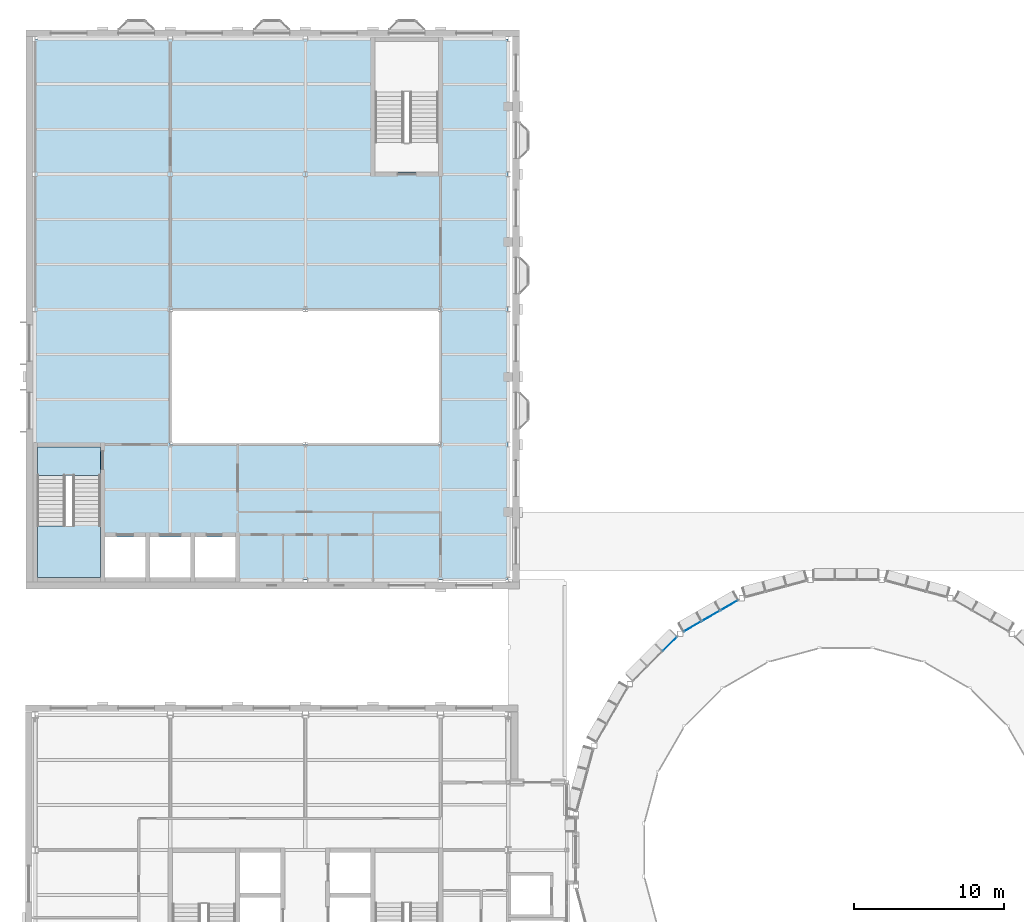
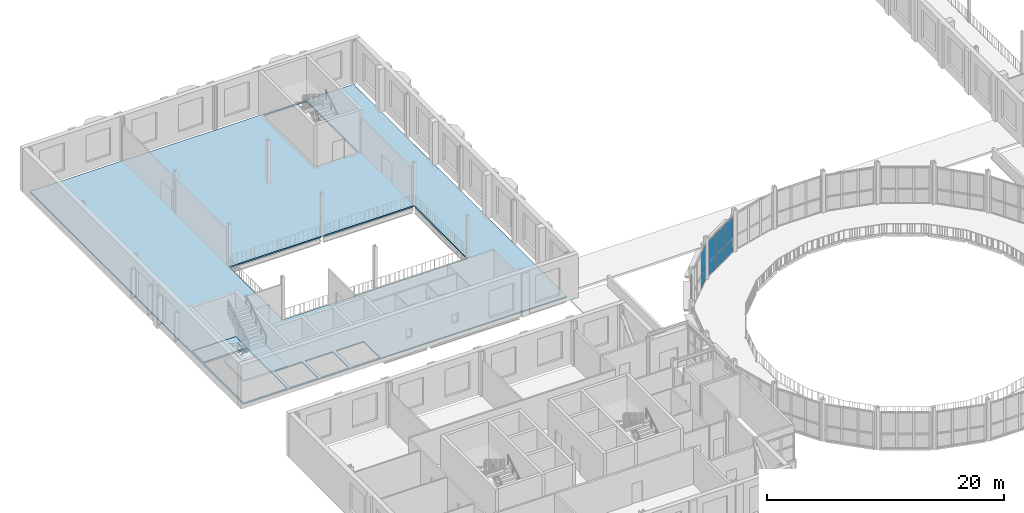
# One storey, part 32 of 74: 8 plates, 3 slabs, 3 elements without a shape of their own.
"""IFC4 building model written with IfcOpenShell, lengths in metres."""

from ifc_helpers import new_model, si_unit, direction, frame, origin, origin_2d, place, context, subcontext, project, spatial, polyline, rectangle, outline, extrude, material, layer, layer_set, type_object, element, aggregate, save


model = new_model("IFC4")

# Units and contexts
model_context = context("Model", 3, precision=1e-05, world=origin(), true_north=direction((0.0, 1.0)))
body_context = subcontext(model_context, "Body", "Model", "MODEL_VIEW")
ifc_project = project(units=[si_unit("LENGTHUNIT", "METRE"), si_unit("AREAUNIT", "SQUARE_METRE"), si_unit("VOLUMEUNIT", "CUBIC_METRE"), si_unit("PLANEANGLEUNIT", "RADIAN"), si_unit("MASSUNIT", "GRAM", prefix="KILO")], contexts=[model_context])

# Site, building, storey
site_placement = place(None, origin())
site = spatial("IfcSite", under=ifc_project, at=site_placement, CompositionType="ELEMENT")
building_placement = place(site_placement, origin())
building = spatial("IfcBuilding", under=site, at=building_placement, Name="Hortulan Conservatory and Botanical Research Centre", CompositionType="ELEMENT")
storey_placement = place(building_placement, frame((0.0, 0.0, 6.0)))
storey = spatial("IfcBuildingStorey", under=building, at=storey_placement, Name="L01", CompositionType="ELEMENT", Elevation=6.0)

# Slab
ifc_material_1 = material(Name="Concrete N32 (32 MPa, AS 3600)", Category="concrete")
ifc_layer_1 = layer(ifc_material_1, 0.1298828125)
ifc_layer_set_1 = layer_set([ifc_layer_1], Name="Composite Floor Slab 130")
slab_type_1 = type_object("IfcSlabType", Name="Composite Floor Slab 130", PredefinedType="FLOOR", material=ifc_layer_set_1)
slab_1_placement = place(storey_placement, frame((0.0, 0.0, -0.1298828125)))
element("IfcSlab", 1, at=slab_1_placement, inside=storey, type_object=slab_type_1, Name="Floor slab", PredefinedType="FLOOR", context=body_context, shape_type="SweptSolid", body=[
    extrude(outline(polyline([(0.0, 72.0), (0.0, 36.0), (31.5, 36.0), (31.5, 72.0), (0.0, 72.0)]), holes=[polyline([(9.0, 54.0), (9.0, 45.0), (27.0, 45.0), (27.0, 54.0), (9.0, 54.0)]), polyline([(4.64990234375, 36.14990234375), (7.35009765625, 36.14990234375), (7.35009765625, 38.85009765625), (4.64990234375, 38.85009765625), (4.64990234375, 36.14990234375)]), polyline([(7.64990234375, 38.85009765625), (7.64990234375, 36.14990234375), (10.35009765625, 36.14990234375), (10.35009765625, 38.85009765625), (7.64990234375, 38.85009765625)]), polyline([(10.64990234375, 38.85009765625), (10.64990234375, 36.14990234375), (13.35009765625, 36.14990234375), (13.35009765625, 38.85009765625), (10.64990234375, 38.85009765625)]), polyline([(0.14990234375, 36.14990234375), (4.35009765625, 36.14990234375), (4.35009765625, 44.85009765625), (0.14990234375, 44.85009765625), (0.14990234375, 36.14990234375)]), polyline([(22.64990234375, 71.85009765625), (22.64990234375, 63.14990234375), (26.85009765625, 63.14990234375), (26.85009765625, 71.85009765625), (22.64990234375, 71.85009765625)])]), origin(), (0.0, 0.0, 1.0), 0.1298828125),
])

# Curtain wall, plates
ifc_material_2 = material(Name="Bronze-finished aluminium", Category="aluminium")
ifc_layer_2 = layer(ifc_material_2, 0.10009765625)
ifc_layer_set_2 = layer_set([ifc_layer_2], Name="Bronze-framed Curtain Wall 1500 module")
curtain_wall_type = type_object("IfcCurtainWallType", Name="Bronze-framed Curtain Wall 1500 module", PredefinedType="NOTDEFINED", material=ifc_layer_set_2)
curtain_wall_1_placement = place(storey_placement, origin())
curtain_wall_1 = element("IfcCurtainWall", 2, at=curtain_wall_1_placement, inside=storey, type_object=curtain_wall_type, Name="Curtain wall", PredefinedType="NOTDEFINED")
ifc_material_3 = material(Name="Low-e laminated glass", Category="glass")
ifc_layer_3 = layer(ifc_material_3, 0.028076171875)
ifc_layer_set_3 = layer_set([ifc_layer_3], Name="Laminated Glass Panel 28")
plate_type = type_object("IfcPlateType", Name="Laminated Glass Panel 28", PredefinedType="CURTAIN_PANEL", material=ifc_layer_set_3)
plate_1_placement = place(storey_placement, frame((43.782958984375, 32.885986328125, 0.06005859375), z_axis=(0.0, 0.0, 1.0), x_axis=(0.866036280655, 0.499981160235, 0.0)))
plate_1 = element("IfcPlate", 3, at=plate_1_placement, type_object=plate_type, Name="CW1 panel 1.1", PredefinedType="CURTAIN_PANEL", context=body_context, shape_type="SweptSolid", body=[
    extrude(rectangle(XDim=1.330078125, YDim=0.028076171875, at=origin_2d()), origin(), (0.0, 0.0, 1.0), 1.409912109375),
])
plate_2_placement = place(storey_placement, frame((43.782958984375, 32.885986328125, 1.5302734375), z_axis=(0.0, 0.0, 1.0), x_axis=(0.866036280655, 0.499981160235, 0.0)))
plate_2 = element("IfcPlate", 4, at=plate_2_placement, type_object=plate_type, Name="CW1 panel 1.2", PredefinedType="CURTAIN_PANEL", context=body_context, shape_type="SweptSolid", body=[
    extrude(rectangle(XDim=1.330078125, YDim=0.028076171875, at=origin_2d()), origin(), (0.0, 0.0, 1.0), 2.159912109375),
])
plate_3_placement = place(storey_placement, frame((45.0, 33.58837890625, 0.06005859375), z_axis=(0.0, 0.0, 1.0), x_axis=(0.866036280655, 0.499981160235, 0.0)))
plate_3 = element("IfcPlate", 5, at=plate_3_placement, type_object=plate_type, Name="CW1 panel 2.1", PredefinedType="CURTAIN_PANEL", context=body_context, shape_type="SweptSolid", body=[
    extrude(rectangle(XDim=1.360107421875, YDim=0.028076171875, at=origin_2d()), origin(), (0.0, 0.0, 1.0), 1.409912109375),
])
plate_4_placement = place(storey_placement, frame((45.0, 33.58837890625, 1.5302734375), z_axis=(0.0, 0.0, 1.0), x_axis=(0.866036280655, 0.499981160235, 0.0)))
plate_4 = element("IfcPlate", 6, at=plate_4_placement, type_object=plate_type, Name="CW1 panel 2.2", PredefinedType="CURTAIN_PANEL", context=body_context, shape_type="SweptSolid", body=[
    extrude(rectangle(XDim=1.360107421875, YDim=0.028076171875, at=origin_2d()), origin(), (0.0, 0.0, 1.0), 2.159912109375),
])
plate_5_placement = place(storey_placement, frame((46.217041015625, 34.291015625, 0.06005859375), z_axis=(0.0, 0.0, 1.0), x_axis=(0.866036280655, 0.499981160235, 0.0)))
plate_5 = element("IfcPlate", 7, at=plate_5_placement, type_object=plate_type, Name="CW1 panel 3.1", PredefinedType="CURTAIN_PANEL", context=body_context, shape_type="SweptSolid", body=[
    extrude(rectangle(XDim=1.330078125, YDim=0.028076171875, at=origin_2d()), origin(), (0.0, 0.0, 1.0), 1.409912109375),
])
plate_6_placement = place(storey_placement, frame((46.217041015625, 34.291015625, 1.5302734375), z_axis=(0.0, 0.0, 1.0), x_axis=(0.866036280655, 0.499981160235, 0.0)))
plate_6 = element("IfcPlate", 8, at=plate_6_placement, type_object=plate_type, Name="CW1 panel 3.2", PredefinedType="CURTAIN_PANEL", context=body_context, shape_type="SweptSolid", body=[
    extrude(rectangle(XDim=1.330078125, YDim=0.028076171875, at=origin_2d()), origin(), (0.0, 0.0, 1.0), 2.159912109375),
])
aggregate(curtain_wall_1, [plate_1, plate_2, plate_3, plate_4, plate_5, plate_6])

curtain_wall_2_placement = place(storey_placement, origin())
curtain_wall_2 = element("IfcCurtainWall", 9, at=curtain_wall_2_placement, inside=storey, type_object=curtain_wall_type, Name="Curtain wall", PredefinedType="NOTDEFINED")
plate_7_placement = place(storey_placement, frame((42.26220703125, 31.718017578125, 0.06005859375), z_axis=(0.0, 0.0, 1.0), x_axis=(0.707095004018, 0.707118558159, 0.0)))
plate_7 = element("IfcPlate", 10, at=plate_7_placement, type_object=plate_type, Name="CW1 panel 3.1", PredefinedType="CURTAIN_PANEL", context=body_context, shape_type="SweptSolid", body=[
    extrude(rectangle(XDim=1.3251953125, YDim=0.028076171875, at=origin_2d()), origin(), (0.0, 0.0, 1.0), 1.409912109375),
])
plate_8_placement = place(storey_placement, frame((42.26220703125, 31.718017578125, 1.5302734375), z_axis=(0.0, 0.0, 1.0), x_axis=(0.707095004018, 0.707118558159, 0.0)))
plate_8 = element("IfcPlate", 11, at=plate_8_placement, type_object=plate_type, Name="CW1 panel 3.2", PredefinedType="CURTAIN_PANEL", context=body_context, shape_type="SweptSolid", body=[
    extrude(rectangle(XDim=1.3251953125, YDim=0.028076171875, at=origin_2d()), origin(), (0.0, 0.0, 1.0), 2.159912109375),
])
aggregate(curtain_wall_2, [plate_7, plate_8])

# Stair, slab
ifc_material_4 = material(Name="Concrete N40 (40 MPa, AS 3600)", Category="concrete")
stair_type = type_object("IfcStairType", Name="Concrete Escape Stair 1900", PredefinedType="HALF_TURN_STAIR", material=ifc_material_4)
stair_placement = place(storey_placement, origin())
stair = element("IfcStair", 12, at=stair_placement, inside=storey, type_object=stair_type, Name="Stair V1 L01", PredefinedType="HALF_TURN_STAIR")
ifc_layer_4 = layer(ifc_material_4, 0.199951171875)
ifc_layer_set_4 = layer_set([ifc_layer_4], Name="Stair Landing 200")
slab_type_2 = type_object("IfcSlabType", Name="Stair Landing 200", PredefinedType="LANDING", material=ifc_layer_set_4)
slab_2_placement = place(storey_placement, frame((0.0, 0.0, 2.050048828125)))
slab_2 = element("IfcSlab", 13, at=slab_2_placement, type_object=slab_type_2, Name="Stair V1 L01 half landing 1", PredefinedType="LANDING", context=body_context, shape_type="SweptSolid", body=[
    extrude(outline(polyline([(0.14990234375, 39.590576171875), (2.449951171875, 39.590576171875), (2.449951171875, 41.27001953125), (4.35009765625, 41.27001953125), (4.35009765625, 39.590576171875), (4.35009765625, 39.590087890625), (4.35009765625, 39.580078125), (4.35009765625, 36.14990234375), (0.14990234375, 36.14990234375), (0.14990234375, 39.580078125), (0.14990234375, 39.590087890625), (0.14990234375, 39.590576171875)])), origin(), (0.0, 0.0, 1.0), 0.199951171875),
])
aggregate(stair, [slab_2])

# Slab
slab_3_placement = place(storey_placement, frame((0.0, 0.0, -0.199951171875)))
element("IfcSlab", 14, at=slab_3_placement, inside=storey, type_object=slab_type_2, Name="Stair V1 floor landing L01", PredefinedType="LANDING", context=body_context, shape_type="SweptSolid", body=[
    extrude(outline(polyline([(0.14990234375, 44.85009765625), (4.35009765625, 44.85009765625), (4.35009765625, 42.949951171875), (0.14990234375, 42.949951171875), (0.14990234375, 44.85009765625)])), origin(), (0.0, 0.0, 1.0), 0.199951171875),
])

save(model, "model.ifc")
